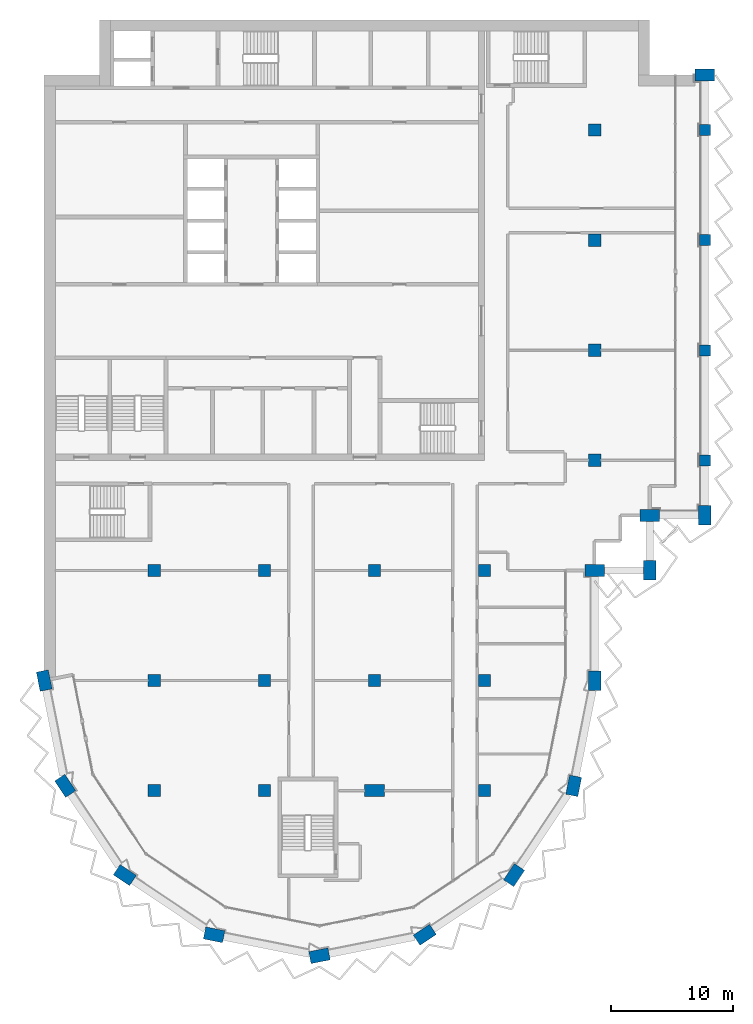
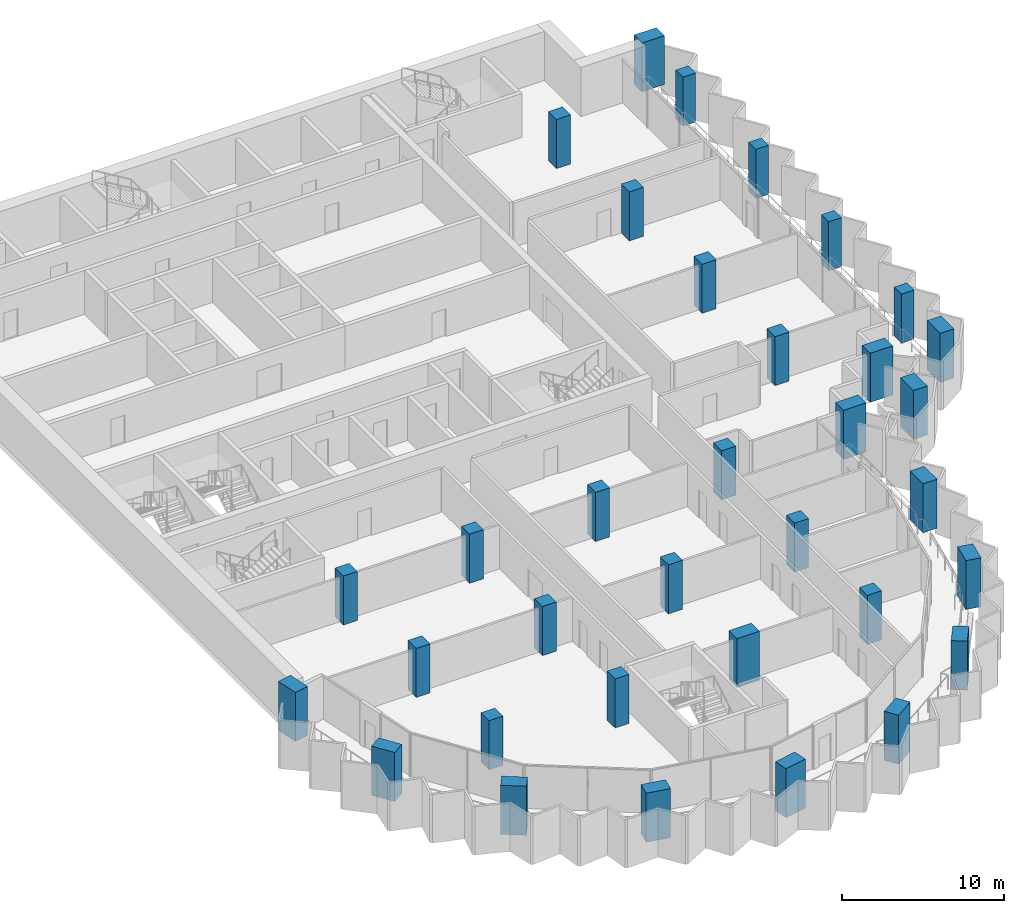
# One storey, part 1 of 16: 34 columns.
"""IFC4 building model written with IfcOpenShell, lengths in metres."""

from ifc_helpers import new_model, si_unit, direction, frame, origin, origin_2d, place, context, subcontext, project, spatial, rectangle, extrude, material, material_profile, profile_set, type_object, element, save


model = new_model("IFC4")

# Units and contexts
model_context = context("Model", 3, precision=1e-05, world=origin(), true_north=direction((0.0, 1.0)))
body_context = subcontext(model_context, "Body", "Model", "MODEL_VIEW")
ifc_project = project(units=[si_unit("LENGTHUNIT", "METRE"), si_unit("AREAUNIT", "SQUARE_METRE"), si_unit("VOLUMEUNIT", "CUBIC_METRE"), si_unit("PLANEANGLEUNIT", "RADIAN"), si_unit("MASSUNIT", "GRAM", prefix="KILO")], contexts=[model_context])

# Site, building, storey
site_placement = place(None, origin())
site = spatial("IfcSite", under=ifc_project, at=site_placement, CompositionType="ELEMENT")
building_placement = place(site_placement, origin())
building = spatial("IfcBuilding", under=site, at=building_placement, Name="Hunhe Ridgeline Campus", CompositionType="ELEMENT")
storey_placement = place(building_placement, frame((0.0, 0.0, 261.39990234375)))
storey = spatial("IfcBuildingStorey", under=building, at=storey_placement, Name="L67", CompositionType="ELEMENT", Elevation=261.39990234375)

# Columns
ifc_material = material(Name="Concrete C60", Category="concrete")
ifc_material_profile_1 = material_profile(ifc_material, rectangle(XDim=1.60009765625, YDim=1.0, at=origin_2d()))
ifc_profile_set_1 = profile_set([ifc_material_profile_1], Name="Concrete C60")
column_type_1 = type_object("IfcColumnType", Name="Megacolumn 1600x1000 Concrete C60", PredefinedType="COLUMN", material=ifc_profile_set_1)
for number, where, z_axis, x_axis, name in (
    (1, (22.5, 22.5, 0.0), (0.0, 0.0, 1.0), (0.980785280403, 0.195090322016, 0.0), "Column C14 R13 L67"),
    (2, (13.8896484375, 24.212646484375, 0.0), (0.0, 0.0, 1.0), (-0.980785280403, 0.195090322016, 0.0), "Column C14 R14 L67"),
    (3, (31.1103515625, 24.212646484375, 0.0), (0.0, 0.0, 1.0), (0.831469612303, 0.55557023302, 0.0), "Column C14 R15 L67"),
    (4, (6.590087890625, 29.090087890625, 0.0), (0.0, 0.0, 1.0), (-0.831469612303, 0.55557023302, 0.0), "Column C14 R18 L67"),
    (5, (38.409912109375, 29.090087890625, 0.0), (0.0, 0.0, 1.0), (0.55557023302, 0.831469612303, 0.0), "Column C14 R19 L67"),
    (6, (1.712646484375, 36.3896484375, 0.0), (0.0, 0.0, 1.0), (-0.55557023302, 0.831469612303, 0.0), "Column C14 R23 L67"),
    (7, (43.287353515625, 36.3896484375, 0.0), (0.0, 0.0, 1.0), (0.195090322016, 0.980785280403, 0.0), "Column C14 R24 L67"),
    (8, (0.0, 45.0, 0.0), (0.0, 0.0, 1.0), (-0.195090322016, 0.980785280403, 0.0), "Column C14 F1 L67"),
    (9, (45.0, 45.0, 0.0), (0.0, 0.0, 1.0), (0.0, 1.0, 0.0), "Column C14 F6 L67"),
    (10, (45.0, 54.0, 0.0), (0.0, 0.0, 1.0), (1.0, 0.0, 0.0), "Column C14 G6 L67"),
    (11, (49.5, 54.0, 0.0), (0.0, 0.0, 1.0), (0.0, 1.0, 0.0), "Column C14 R29 L67"),
    (12, (49.5, 58.5, 0.0), (0.0, 0.0, 1.0), (1.0, 0.0, 0.0), "Column C14 R33 L67"),
    (13, (54.0, 58.5, 0.0), (0.0, 0.0, 1.0), (0.0, 1.0, 0.0), "Column C14 R34 L67"),
    (14, (54.0, 94.5, 0.0), (0.0, 0.0, 1.0), (1.0, 0.0, 0.0), "Column C14 R41 L67"),
    (15, (27.0, 36.0, 0.0), (0.0, 0.0, 1.0), (1.0, 0.0, 0.0), "Column C14 E4 L67"),
):
    element("IfcColumn", number, at=place(storey_placement, frame(where, z_axis=z_axis, x_axis=x_axis)), inside=storey, type_object=column_type_1, Name=name, PredefinedType="COLUMN", context=body_context, shape_type="SweptSolid", body=[
        extrude(rectangle(XDim=1.60009765625, YDim=1.0, at=origin_2d()), origin(), (0.0, 0.0, 1.0), 3.7001953125),
    ])
ifc_material_profile_2 = material_profile(ifc_material, rectangle(XDim=1.0, YDim=1.0, at=origin_2d()))
ifc_profile_set_2 = profile_set([ifc_material_profile_2], Name="Concrete C60")
column_type_2 = type_object("IfcColumnType", Name="RC column 1000x1000 Concrete C60", PredefinedType="COLUMN", material=ifc_profile_set_2)
for number, where, z_axis, x_axis, name in (
    (16, (9.0, 36.0, 0.0), (0.0, 0.0, 1.0), (1.0, 0.0, 0.0), "Column C12 E2 L67"),
    (17, (9.0, 45.0, 0.0), (0.0, 0.0, 1.0), (1.0, 0.0, 0.0), "Column C12 F2 L67"),
    (18, (9.0, 54.0, 0.0), (0.0, 0.0, 1.0), (1.0, 0.0, 0.0), "Column C12 G2 L67"),
    (19, (18.0, 36.0, 0.0), (0.0, 0.0, 1.0), (1.0, 0.0, 0.0), "Column C12 E3 L67"),
    (20, (18.0, 45.0, 0.0), (0.0, 0.0, 1.0), (1.0, 0.0, 0.0), "Column C12 F3 L67"),
    (21, (18.0, 54.0, 0.0), (0.0, 0.0, 1.0), (1.0, 0.0, 0.0), "Column C12 G3 L67"),
    (22, (27.0, 45.0, 0.0), (0.0, 0.0, 1.0), (1.0, 0.0, 0.0), "Column C12 F4 L67"),
    (23, (27.0, 54.0, 0.0), (0.0, 0.0, 1.0), (1.0, 0.0, 0.0), "Column C12 G4 L67"),
    (24, (36.0, 36.0, 0.0), (0.0, 0.0, 1.0), (1.0, 0.0, 0.0), "Column C12 E5 L67"),
    (25, (36.0, 45.0, 0.0), (0.0, 0.0, 1.0), (1.0, 0.0, 0.0), "Column C12 F5 L67"),
    (26, (36.0, 54.0, 0.0), (0.0, 0.0, 1.0), (1.0, 0.0, 0.0), "Column C12 G5 L67"),
    (27, (45.0, 63.0, 0.0), (0.0, 0.0, 1.0), (1.0, 0.0, 0.0), "Column C12 H6 L67"),
    (28, (45.0, 72.0, 0.0), (0.0, 0.0, 1.0), (1.0, 0.0, 0.0), "Column C12 I6 L67"),
    (29, (45.0, 81.0, 0.0), (0.0, 0.0, 1.0), (1.0, 0.0, 0.0), "Column C12 J6 L67"),
    (30, (45.0, 90.0, 0.0), (0.0, 0.0, 1.0), (1.0, 0.0, 0.0), "Column C12 K6 L67"),
):
    element("IfcColumn", number, at=place(storey_placement, frame(where, z_axis=z_axis, x_axis=x_axis)), inside=storey, type_object=column_type_2, Name=name, PredefinedType="COLUMN", context=body_context, shape_type="SweptSolid", body=[
        extrude(rectangle(XDim=1.0, YDim=1.0, at=origin_2d()), origin(), (0.0, 0.0, 1.0), 3.7001953125),
    ])
ifc_material_profile_3 = material_profile(ifc_material, rectangle(XDim=0.89990234375, YDim=0.89990234375, at=origin_2d()))
ifc_profile_set_3 = profile_set([ifc_material_profile_3], Name="Concrete C60")
column_type_3 = type_object("IfcColumnType", Name="RC column 900x900 Concrete C60", PredefinedType="COLUMN", material=ifc_profile_set_3)
for number, where, z_axis, x_axis, name in (
    (31, (54.0, 63.0, 0.0), (0.0, 0.0, 1.0), (1.0, 0.0, 0.0), "Column C15 H7 L67"),
    (32, (54.0, 72.0, 0.0), (0.0, 0.0, 1.0), (1.0, 0.0, 0.0), "Column C15 I7 L67"),
    (33, (54.0, 81.0, 0.0), (0.0, 0.0, 1.0), (1.0, 0.0, 0.0), "Column C15 J7 L67"),
    (34, (54.0, 90.0, 0.0), (0.0, 0.0, 1.0), (1.0, 0.0, 0.0), "Column C15 K7 L67"),
):
    element("IfcColumn", number, at=place(storey_placement, frame(where, z_axis=z_axis, x_axis=x_axis)), inside=storey, type_object=column_type_3, Name=name, PredefinedType="COLUMN", context=body_context, shape_type="SweptSolid", body=[
        extrude(rectangle(XDim=0.89990234375, YDim=0.89990234375, at=origin_2d()), origin(), (0.0, 0.0, 1.0), 3.7001953125),
    ])

save(model, "model.ifc")
